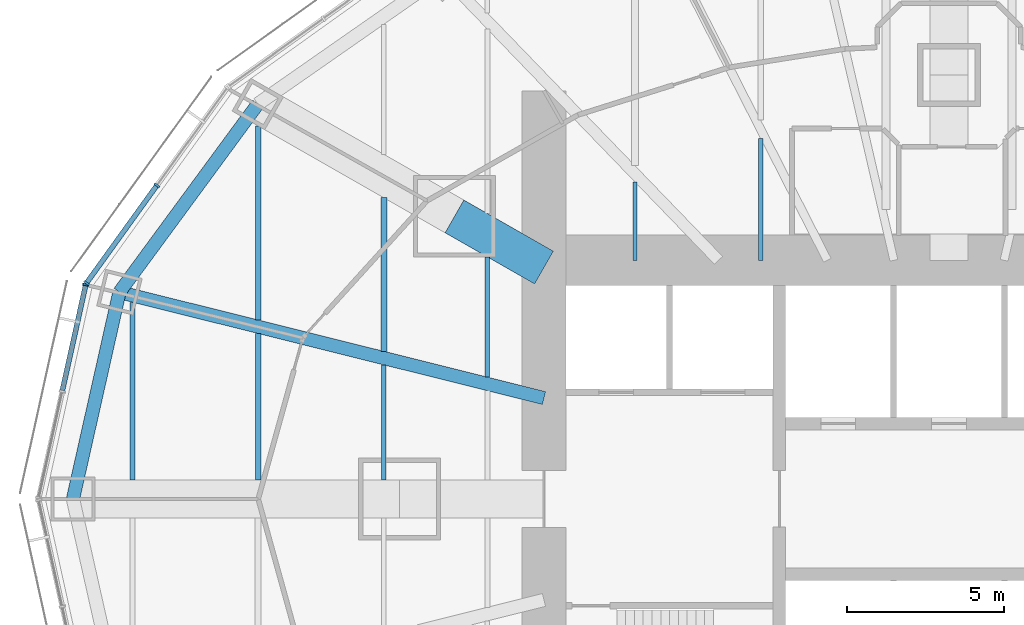
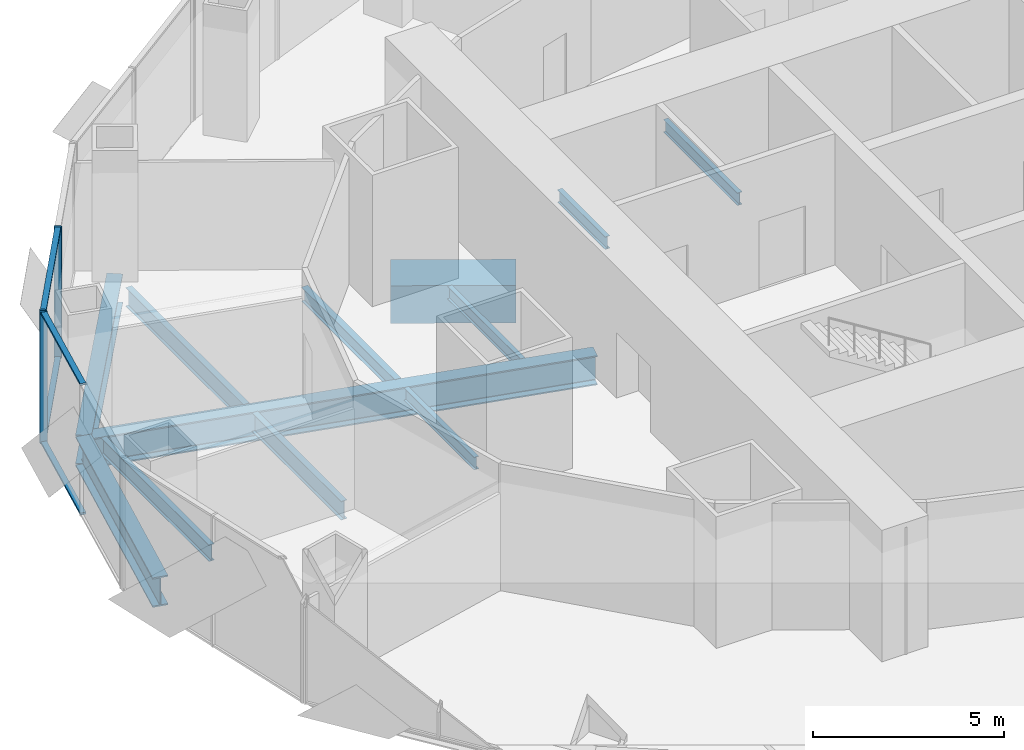
# One storey, part 4 of 17: 12 beams, 7 members, 2 elements without a shape of their own.
"""IFC4 building model written with IfcOpenShell, lengths in metres."""

from ifc_helpers import new_model, si_unit, direction, frame, origin, origin_2d, place, context, subcontext, project, spatial, rectangle, hollow_rectangle, i_section, extrude, material, material_profile, profile_set, type_object, element, aggregate, save


model = new_model("IFC4")

# Units and contexts
model_context = context("Model", 3, precision=1e-05, world=origin(), true_north=direction((0.0, 1.0)))
body_context = subcontext(model_context, "Body", "Model", "MODEL_VIEW")
ifc_project = project(units=[si_unit("LENGTHUNIT", "METRE"), si_unit("AREAUNIT", "SQUARE_METRE"), si_unit("VOLUMEUNIT", "CUBIC_METRE"), si_unit("PLANEANGLEUNIT", "RADIAN"), si_unit("MASSUNIT", "GRAM", prefix="KILO")], contexts=[model_context])

# Site, building, storey
site_placement = place(None, origin())
site = spatial("IfcSite", under=ifc_project, at=site_placement, CompositionType="ELEMENT")
building_placement = place(site_placement, origin())
building = spatial("IfcBuilding", under=site, at=building_placement, Name="Lantaw Convention Tower", CompositionType="ELEMENT")
storey_placement = place(building_placement, frame((0.0, 0.0, 117.39990234375)))
storey = spatial("IfcBuildingStorey", under=building, at=storey_placement, Name="L27", CompositionType="ELEMENT", Elevation=117.39990234375)

# Beams
ifc_material_1 = material(Name="Steel ASTM A992", Category="steel")
ifc_material_profile_1 = material_profile(ifc_material_1, i_section(OverallWidth=0.424072265625, OverallDepth=0.947509765625, WebThickness=0.02392578125, FlangeThickness=0.042724609375, FilletRadius=0.012451171875, at=origin_2d()), Name="W36X302")
ifc_profile_set_1 = profile_set([ifc_material_profile_1], Name="Steel ASTM A992")
beam_type_1 = type_object("IfcBeamType", Name="Beam BC W36X302", PredefinedType="SPANDREL", material=ifc_profile_set_1)
beam_1_placement = place(storey_placement, frame((-22.013916015625, 12.579345703125, -0.62353515625), z_axis=(-0.5923891972, -0.805651934176, 0.0), x_axis=(0.805651934176, -0.5923891972, 0.0)))
element("IfcBeam", 1, at=beam_1_placement, inside=storey, type_object=beam_type_1, Name="Belt truss chord 11", PredefinedType="SPANDREL", context=body_context, shape_type="SweptSolid", body=[
    extrude(i_section(OverallWidth=0.424072265625, OverallDepth=0.947509765625, WebThickness=0.02392578125, FlangeThickness=0.042724609375, FilletRadius=0.012451171875, at=origin_2d()), origin(), (0.0, 0.0, 1.0), 7.437744140625),
])
beam_2_placement = place(storey_placement, frame((-26.419921875, 6.587158203125, -0.62353515625), z_axis=(-0.219211877447, -0.975677279015, 0.0), x_axis=(0.975677279015, -0.219211877447, 0.0)))
element("IfcBeam", 2, at=beam_2_placement, inside=storey, type_object=beam_type_1, Name="Belt truss chord 12", PredefinedType="SPANDREL", context=body_context, shape_type="SweptSolid", body=[
    extrude(i_section(OverallWidth=0.424072265625, OverallDepth=0.947509765625, WebThickness=0.02392578125, FlangeThickness=0.042724609375, FilletRadius=0.012451171875, at=origin_2d()), origin(), (0.0, 0.0, 1.0), 6.75146484375),
])
ifc_material_profile_2 = material_profile(ifc_material_1, i_section(OverallWidth=0.421630859375, OverallDepth=0.937255859375, WebThickness=0.0224609375, FlangeThickness=0.039794921875, FilletRadius=0.02001953125, at=origin_2d()), Name="W36X282")
ifc_profile_set_2 = profile_set([ifc_material_profile_2], Name="Steel ASTM A992")
beam_type_2 = type_object("IfcBeamType", Name="Beam G W36X282", PredefinedType="BEAM", material=ifc_profile_set_2)
beam_3_placement = place(storey_placement, frame((-12.89990234375, 3.21630859375, -0.61865234375), z_axis=(-0.970296903132, 0.24191717544, 0.0), x_axis=(-0.24191717544, -0.970296903132, 0.0)))
element("IfcBeam", 3, at=beam_3_placement, inside=storey, type_object=beam_type_2, Name="Floor girder on ray 12", PredefinedType="BEAM", context=body_context, shape_type="SweptSolid", body=[
    extrude(i_section(OverallWidth=0.421630859375, OverallDepth=0.937255859375, WebThickness=0.0224609375, FlangeThickness=0.039794921875, FilletRadius=0.02001953125, at=origin_2d()), origin(), (0.0, 0.0, 1.0), 13.933837890625),
])
ifc_material_profile_3 = material_profile(ifc_material_1, i_section(OverallWidth=0.140380859375, OverallDepth=0.40380859375, WebThickness=0.007080078125, FlangeThickness=0.01123046875, FilletRadius=0.01025390625, at=origin_2d()), Name="W16X31")
ifc_profile_set_3 = profile_set([ifc_material_profile_3], Name="Steel ASTM A992")
beam_type_3 = type_object("IfcBeamType", Name="Beam J W16X31", PredefinedType="JOIST", material=ifc_profile_set_3)
beam_4_placement = place(storey_placement, frame((-18.0, 0.60009765625, -0.351806640625), z_axis=(0.0, 1.0, 0.0), x_axis=(-1.0, 0.0, 0.0)))
element("IfcBeam", 4, at=beam_4_placement, inside=storey, type_object=beam_type_3, Name="Floor joist", PredefinedType="JOIST", context=body_context, shape_type="SweptSolid", body=[
    extrude(i_section(OverallWidth=0.140380859375, OverallDepth=0.40380859375, WebThickness=0.007080078125, FlangeThickness=0.01123046875, FilletRadius=0.01025390625, at=origin_2d()), origin(), (0.0, 0.0, 1.0), 3.670654296875),
])
beam_5_placement = place(storey_placement, frame((-14.699951171875, 3.88232421875, -0.351806640625), z_axis=(0.0, 1.0, 0.0), x_axis=(-1.0, 0.0, 0.0)))
element("IfcBeam", 5, at=beam_5_placement, inside=storey, type_object=beam_type_3, Name="Floor joist", PredefinedType="JOIST", context=body_context, shape_type="SweptSolid", body=[
    extrude(i_section(OverallWidth=0.140380859375, OverallDepth=0.40380859375, WebThickness=0.007080078125, FlangeThickness=0.01123046875, FilletRadius=0.01025390625, at=origin_2d()), origin(), (0.0, 0.0, 1.0), 3.82666015625),
])
beam_6_placement = place(storey_placement, frame((-10.0, 7.60009765625, -0.351806640625), z_axis=(0.0, 1.0, 0.0), x_axis=(-1.0, 0.0, 0.0)))
element("IfcBeam", 6, at=beam_6_placement, inside=storey, type_object=beam_type_3, Name="Floor joist", PredefinedType="JOIST", context=body_context, shape_type="SweptSolid", body=[
    extrude(i_section(OverallWidth=0.140380859375, OverallDepth=0.40380859375, WebThickness=0.007080078125, FlangeThickness=0.01123046875, FilletRadius=0.01025390625, at=origin_2d()), origin(), (0.0, 0.0, 1.0), 2.49560546875),
])
beam_7_placement = place(storey_placement, frame((-6.0, 7.60009765625, -0.351806640625), z_axis=(0.0, 1.0, 0.0), x_axis=(-1.0, 0.0, 0.0)))
element("IfcBeam", 7, at=beam_7_placement, inside=storey, type_object=beam_type_3, Name="Floor joist", PredefinedType="JOIST", context=body_context, shape_type="SweptSolid", body=[
    extrude(i_section(OverallWidth=0.140380859375, OverallDepth=0.40380859375, WebThickness=0.007080078125, FlangeThickness=0.01123046875, FilletRadius=0.01025390625, at=origin_2d()), origin(), (0.0, 0.0, 1.0), 3.8818359375),
])
ifc_material_profile_4 = material_profile(ifc_material_1, i_section(OverallWidth=0.1904296875, OverallDepth=0.457275390625, WebThickness=0.009033203125, FlangeThickness=0.014404296875, FilletRadius=0.01025390625, at=origin_2d()), Name="W18X50")
ifc_profile_set_4 = profile_set([ifc_material_profile_4], Name="Steel ASTM A992")
beam_type_4 = type_object("IfcBeamType", Name="Beam J W18X50", PredefinedType="JOIST", material=ifc_profile_set_4)
beam_8_placement = place(storey_placement, frame((-18.0, 4.705078125, -0.37841796875), z_axis=(0.0, 1.0, 0.0), x_axis=(-1.0, 0.0, 0.0)))
element("IfcBeam", 8, at=beam_8_placement, inside=storey, type_object=beam_type_4, Name="Floor joist", PredefinedType="JOIST", context=body_context, shape_type="SweptSolid", body=[
    extrude(i_section(OverallWidth=0.1904296875, OverallDepth=0.457275390625, WebThickness=0.009033203125, FlangeThickness=0.014404296875, FilletRadius=0.01025390625, at=origin_2d()), origin(), (0.0, 0.0, 1.0), 4.8896484375),
])
ifc_material_profile_5 = material_profile(ifc_material_1, i_section(OverallWidth=0.1650390625, OverallDepth=0.52587890625, WebThickness=0.0087890625, FlangeThickness=0.011474609375, FilletRadius=0.0126953125, at=origin_2d()), Name="W21X44")
ifc_profile_set_5 = profile_set([ifc_material_profile_5], Name="Steel ASTM A992")
beam_type_5 = type_object("IfcBeamType", Name="Beam J W21X44", PredefinedType="JOIST", material=ifc_profile_set_5)
beam_9_placement = place(storey_placement, frame((-26.0, 0.60009765625, -0.412841796875), z_axis=(0.0, 1.0, 0.0), x_axis=(-1.0, 0.0, 0.0)))
element("IfcBeam", 9, at=beam_9_placement, inside=storey, type_object=beam_type_5, Name="Floor joist", PredefinedType="JOIST", context=body_context, shape_type="SweptSolid", body=[
    extrude(i_section(OverallWidth=0.1650390625, OverallDepth=0.52587890625, WebThickness=0.0087890625, FlangeThickness=0.011474609375, FilletRadius=0.0126953125, at=origin_2d()), origin(), (0.0, 0.0, 1.0), 5.6650390625),
])
ifc_material_profile_6 = material_profile(ifc_material_1, i_section(OverallWidth=0.177978515625, OverallDepth=0.599365234375, WebThickness=0.010009765625, FlangeThickness=0.012939453125, FilletRadius=0.012939453125, at=origin_2d()), Name="W24X55")
ifc_profile_set_6 = profile_set([ifc_material_profile_6], Name="Steel ASTM A992")
beam_type_6 = type_object("IfcBeamType", Name="Beam J W24X55", PredefinedType="JOIST", material=ifc_profile_set_6)
beam_10_placement = place(storey_placement, frame((-22.0, 0.60009765625, -0.44970703125), z_axis=(0.0, 1.0, 0.0), x_axis=(-1.0, 0.0, 0.0)))
element("IfcBeam", 10, at=beam_10_placement, inside=storey, type_object=beam_type_6, Name="Floor joist", PredefinedType="JOIST", context=body_context, shape_type="SweptSolid", body=[
    extrude(i_section(OverallWidth=0.177978515625, OverallDepth=0.599365234375, WebThickness=0.010009765625, FlangeThickness=0.012939453125, FilletRadius=0.012939453125, at=origin_2d()), origin(), (0.0, 0.0, 1.0), 4.667724609375),
])
beam_11_placement = place(storey_placement, frame((-22.0, 5.702392578125, -0.44970703125), z_axis=(0.0, 1.0, 0.0), x_axis=(-1.0, 0.0, 0.0)))
element("IfcBeam", 11, at=beam_11_placement, inside=storey, type_object=beam_type_6, Name="Floor joist", PredefinedType="JOIST", context=body_context, shape_type="SweptSolid", body=[
    extrude(i_section(OverallWidth=0.177978515625, OverallDepth=0.599365234375, WebThickness=0.010009765625, FlangeThickness=0.012939453125, FilletRadius=0.012939453125, at=origin_2d()), origin(), (0.0, 0.0, 1.0), 6.177978515625),
])
ifc_material_2 = material(Name="Steel EN 10025-3 S460N", Category="steel")
ifc_material_profile_7 = material_profile(ifc_material_2, hollow_rectangle(XDim=1.199951171875, YDim=1.199951171875, WallThickness=0.10009765625, at=origin_2d()), Name="BOX1200X100")
ifc_profile_set_7 = profile_set([ifc_material_profile_7], Name="Steel EN 10025-3 S460N")
beam_type_7 = type_object("IfcBeamType", Name="Beam OC BOX1200X100", PredefinedType="BEAM", material=ifc_profile_set_7)
beam_12_placement = place(storey_placement, frame((-12.89990234375, 7.371337890625, -0.75), z_axis=(-0.868238565244, 0.496146947811, 0.0), x_axis=(-0.496146947811, -0.868238565244, 0.0)))
element("IfcBeam", 12, at=beam_12_placement, inside=storey, type_object=beam_type_7, Name="Outrigger chord on ray 11", PredefinedType="BEAM", context=body_context, shape_type="SweptSolid", body=[
    extrude(hollow_rectangle(XDim=1.199951171875, YDim=1.199951171875, WallThickness=0.10009765625, at=origin_2d()), origin(), (0.0, 0.0, 1.0), 3.28271484375),
])

# Curtain wall, members
ifc_material_3 = material(Name="Aluminium framed curtain wall", Category="aluminium")
curtain_wall_type = type_object("IfcCurtainWallType", Name="Office curtain wall low rise, pale aluminium", PredefinedType="USERDEFINED", material=ifc_material_3)
curtain_wall_1_placement = place(storey_placement, origin())
curtain_wall_1 = element("IfcCurtainWall", 13, at=curtain_wall_1_placement, inside=storey, type_object=curtain_wall_type, Name="Office curtain wall low rise, pale aluminium L27", ObjectType="UNITISED CURTAIN WALL", PredefinedType="USERDEFINED")
ifc_material_4 = material(Name="Aluminium 6063-T6", Category="aluminium")
ifc_material_profile_8 = material_profile(ifc_material_4, rectangle(XDim=0.199951171875, YDim=0.06494140625, at=origin_2d()), Name="CW-O1 mullion 65x200")
ifc_profile_set_8 = profile_set([ifc_material_profile_8], Name="Aluminium 6063-T6")
member_type_1 = type_object("IfcMemberType", Name="CW-O1 mullion 65x200", PredefinedType="MULLION", material=ifc_profile_set_8)
member_1_placement = place(storey_placement, frame((-25.22802734375, 9.9892578125, -0.14990234375), z_axis=(0.0, 0.0, 1.0), x_axis=(0.811384633629, -0.584512597221, 0.0)))
member_1 = element("IfcMember", 14, at=member_1_placement, type_object=member_type_1, Name="CW-O1 mullion 2", PredefinedType="MULLION", context=body_context, shape_type="SweptSolid", body=[
    extrude(rectangle(XDim=0.199951171875, YDim=0.06494140625, at=origin_2d()), origin(), (0.0, 0.0, 1.0), 4.199951171875),
])
member_2_placement = place(storey_placement, frame((-27.46826171875, 6.879638671875, -0.14990234375), z_axis=(0.0, 0.0, 1.0), x_axis=(0.811384633629, -0.584512597221, 0.0)))
member_2 = element("IfcMember", 15, at=member_2_placement, type_object=member_type_1, Name="CW-O1 mullion 3", PredefinedType="MULLION", context=body_context, shape_type="SweptSolid", body=[
    extrude(rectangle(XDim=0.199951171875, YDim=0.06494140625, at=origin_2d()), origin(), (0.0, 0.0, 1.0), 4.199951171875),
])

# Curtain wall, member
curtain_wall_2_placement = place(storey_placement, origin())
curtain_wall_2 = element("IfcCurtainWall", 16, at=curtain_wall_2_placement, inside=storey, type_object=curtain_wall_type, Name="Office curtain wall low rise, pale aluminium L27", ObjectType="UNITISED CURTAIN WALL", PredefinedType="USERDEFINED")
member_3_placement = place(storey_placement, frame((-27.494140625, 6.821533203125, -0.14990234375), z_axis=(0.0, 0.0, 1.0), x_axis=(0.9764936509, -0.215546166174, 0.0)))
member_3 = element("IfcMember", 17, at=member_3_placement, type_object=member_type_1, Name="CW-O1 mullion 1", PredefinedType="MULLION", context=body_context, shape_type="SweptSolid", body=[
    extrude(rectangle(XDim=0.199951171875, YDim=0.06494140625, at=origin_2d()), origin(), (0.0, 0.0, 1.0), 4.199951171875),
])

# Member
ifc_material_profile_9 = material_profile(ifc_material_4, rectangle(XDim=0.159912109375, YDim=0.06494140625, at=origin_2d()), Name="CW-O1 transom 65x160")
ifc_profile_set_9 = profile_set([ifc_material_profile_9], Name="Aluminium 6063-T6")
member_type_2 = type_object("IfcMemberType", Name="CW-O1 transom 65x160", PredefinedType="USERDEFINED", material=ifc_profile_set_9)
member_4_placement = place(storey_placement, frame((-25.2470703125, 9.962890625, -0.117431640625), z_axis=(-0.584512973979, -0.811384362217, 0.0), x_axis=(0.811384362217, -0.584512973979, 0.0)))
member_4 = element("IfcMember", 18, at=member_4_placement, type_object=member_type_2, Name="CW-O1 transom 2.1", ObjectType="TRANSOM", PredefinedType="USERDEFINED", context=body_context, shape_type="SweptSolid", body=[
    extrude(rectangle(XDim=0.159912109375, YDim=0.06494140625, at=origin_2d()), origin(), (0.0, 0.0, 1.0), 3.767578125),
])

member_5_placement = place(storey_placement, frame((-25.2470703125, 9.962890625, 4.017578125), z_axis=(-0.584512973979, -0.811384362217, 0.0), x_axis=(0.811384362217, -0.584512973979, 0.0)))
member_5 = element("IfcMember", 19, at=member_5_placement, type_object=member_type_2, Name="CW-O1 transom 2.2", ObjectType="TRANSOM", PredefinedType="USERDEFINED", context=body_context, shape_type="SweptSolid", body=[
    extrude(rectangle(XDim=0.159912109375, YDim=0.06494140625, at=origin_2d()), origin(), (0.0, 0.0, 1.0), 3.767578125),
])

aggregate(curtain_wall_1, [member_1, member_2, member_4, member_5])

member_6_placement = place(storey_placement, frame((-27.501220703125, 6.789794921875, -0.117431640625), z_axis=(-0.21555115847, -0.976492548913, 0.0), x_axis=(0.976492548913, -0.21555115847, 0.0)))
member_6 = element("IfcMember", 20, at=member_6_placement, type_object=member_type_2, Name="CW-O1 transom 1.1", ObjectType="TRANSOM", PredefinedType="USERDEFINED", context=body_context, shape_type="SweptSolid", body=[
    extrude(rectangle(XDim=0.159912109375, YDim=0.06494140625, at=origin_2d()), origin(), (0.0, 0.0, 1.0), 3.411376953125),
])

member_7_placement = place(storey_placement, frame((-27.501220703125, 6.789794921875, 4.017578125), z_axis=(-0.21555115847, -0.976492548913, 0.0), x_axis=(0.976492548913, -0.21555115847, 0.0)))
member_7 = element("IfcMember", 21, at=member_7_placement, type_object=member_type_2, Name="CW-O1 transom 1.2", ObjectType="TRANSOM", PredefinedType="USERDEFINED", context=body_context, shape_type="SweptSolid", body=[
    extrude(rectangle(XDim=0.159912109375, YDim=0.06494140625, at=origin_2d()), origin(), (0.0, 0.0, 1.0), 3.411376953125),
])

aggregate(curtain_wall_2, [member_3, member_6, member_7])

save(model, "model.ifc")
